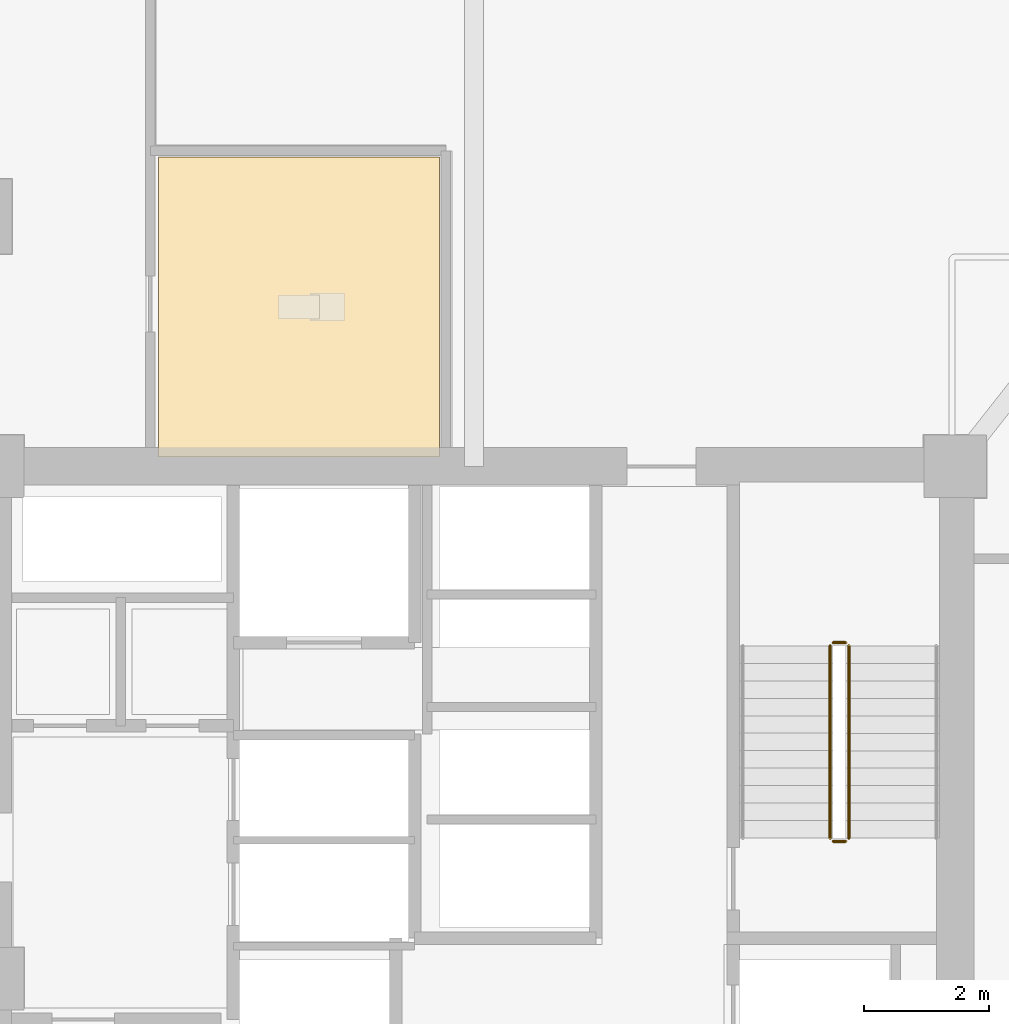
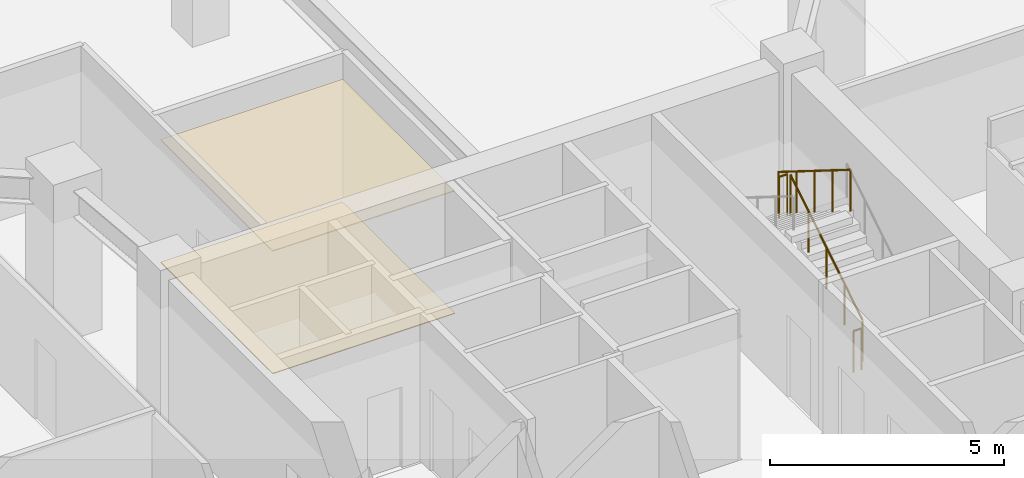
# One storey, part 18 of 22: 4 railings, 2 coverings.
"""IFC4 building model written with IfcOpenShell, lengths in metres."""

from ifc_helpers import new_model, si_unit, direction, frame, origin, origin_2d, place, context, subcontext, project, spatial, polyline, circle, outline, extrude, material, layer, layer_set, type_object, element, save


model = new_model("IFC4")

# Units and contexts
model_context = context("Model", 3, precision=1e-05, world=origin(), true_north=direction((0.0, 1.0)))
body_context = subcontext(model_context, "Body", "Model", "MODEL_VIEW")
ifc_project = project(units=[si_unit("LENGTHUNIT", "METRE"), si_unit("AREAUNIT", "SQUARE_METRE"), si_unit("VOLUMEUNIT", "CUBIC_METRE"), si_unit("PLANEANGLEUNIT", "RADIAN"), si_unit("MASSUNIT", "GRAM", prefix="KILO")], contexts=[model_context])

# Site, building, storey
site_placement = place(None, origin())
site = spatial("IfcSite", under=ifc_project, at=site_placement, CompositionType="ELEMENT")
building_placement = place(site_placement, origin())
building = spatial("IfcBuilding", under=site, at=building_placement, Name="Savorim Split Tower", CompositionType="ELEMENT")
storey_placement = place(building_placement, frame((0.0, 0.0, 17.60009765625)))
storey = spatial("IfcBuildingStorey", under=building, at=storey_placement, Name="L04", CompositionType="ELEMENT", Elevation=17.60009765625)

# Coverings
ifc_material_1 = material(Name="Mineral Fibre Acoustic Ceiling")
ifc_layer_1 = layer(ifc_material_1, 0.02490234375)
ifc_layer_set_1 = layer_set([ifc_layer_1], Name="COV-CEIL-25")
covering_type_1 = type_object("IfcCoveringType", Name="COV-CEIL-25", PredefinedType="CEILING", material=ifc_layer_set_1)
covering_1_placement = place(storey_placement, frame((0.0, 0.0, 3.199951171875)))
element("IfcCovering", 1, at=covering_1_placement, inside=storey, type_object=covering_type_1, Name="L04 Public WC Acoustic Ceiling", PredefinedType="CEILING", context=body_context, shape_type="SweptSolid", body=[
    extrude(outline(polyline([(-5.050048828125, 15.14990234375), (-5.050048828125, 10.35009765625), (-0.550048828125, 10.35009765625), (-0.550048828125, 15.14990234375), (-5.050048828125, 15.14990234375)])), origin(), (0.0, 0.0, 1.0), 0.02490234375),
])
ifc_material_2 = material(Name="Porcelain Stoneware Flooring", Category="masonry")
ifc_layer_2 = layer(ifc_material_2, 0.02001953125)
ifc_layer_set_2 = layer_set([ifc_layer_2], Name="COV-FLOR-20")
covering_type_2 = type_object("IfcCoveringType", Name="COV-FLOR-20", PredefinedType="FLOORING", material=ifc_layer_set_2)
covering_2_placement = place(storey_placement, origin())
element("IfcCovering", 2, at=covering_2_placement, inside=storey, type_object=covering_type_2, Name="L04 Public WC Porcelain Flooring", PredefinedType="FLOORING", context=body_context, shape_type="SweptSolid", body=[
    extrude(outline(polyline([(-5.050048828125, 15.14990234375), (-5.050048828125, 10.35009765625), (-0.550048828125, 10.35009765625), (-0.550048828125, 15.14990234375), (-5.050048828125, 15.14990234375)])), origin(), (0.0, 0.0, 1.0), 0.02001953125),
])

# Railings
ifc_material_3 = material(Name="Galvanised Painted Steel Balustrade", Category="steel")
railing_type = type_object("IfcRailingType", Name="RLG-STG-1100", PredefinedType="BALUSTRADE", material=ifc_material_3)
railing_1_placement = place(storey_placement, frame((6.0, 4.25, 0.1748046875)))
element("IfcRailing", 3, at=railing_1_placement, inside=storey, type_object=railing_type, Name="L04 ST-2 stair guard 1", PredefinedType="BALUSTRADE", context=body_context, shape_type="SweptSolid", body=[
    extrude(circle(Radius=0.02392578125, at=origin_2d()), frame((0.0, 0.0, 1.076171875), z_axis=(0.0, 0.847998304005, 0.529998940003), x_axis=(-1.0, 0.0, 0.0)), (0.0, 0.0, 1.0), 3.632080078125),
    extrude(circle(Radius=0.02099609375, at=origin_2d()), origin(), (0.0, 0.0, 1.0), 1.052001953125),
    extrude(circle(Radius=0.02099609375, at=origin_2d()), frame((0.0, 0.77001953125, 0.481201171875)), (0.0, 0.0, 1.0), 1.052001953125),
    extrude(circle(Radius=0.02099609375, at=origin_2d()), frame((0.0, 1.5400390625, 0.96240234375)), (0.0, 0.0, 1.0), 1.052001953125),
    extrude(circle(Radius=0.02099609375, at=origin_2d()), frame((0.0, 2.31005859375, 1.44384765625)), (0.0, 0.0, 1.0), 1.052001953125),
    extrude(circle(Radius=0.02099609375, at=origin_2d()), frame((0.0, 3.080078125, 1.925048828125)), (0.0, 0.0, 1.0), 1.052001953125),
])
railing_2_placement = place(storey_placement, frame((5.949951171875, 7.3798828125, 2.099853515625)))
element("IfcRailing", 4, at=railing_2_placement, inside=storey, type_object=railing_type, Name="L04 ST-2 stair guard 2", PredefinedType="BALUSTRADE", context=body_context, shape_type="SweptSolid", body=[
    extrude(circle(Radius=0.02392578125, at=origin_2d()), frame((0.0, 0.0, 1.076171875), z_axis=(-1.0, 0.0, 0.0), x_axis=(0.0, -1.0, 0.0)), (0.0, 0.0, 1.0), 0.199951171875),
    extrude(circle(Radius=0.02099609375, at=origin_2d()), origin(), (0.0, 0.0, 1.0), 1.052001953125),
    extrude(circle(Radius=0.02099609375, at=origin_2d()), frame((-0.199951171875, 0.0, 0.0)), (0.0, 0.0, 1.0), 1.052001953125),
])
railing_3_placement = place(storey_placement, frame((5.699951171875, 7.330078125, 2.27490234375)))
element("IfcRailing", 5, at=railing_3_placement, inside=storey, type_object=railing_type, Name="L04 ST-2 stair guard 3", PredefinedType="BALUSTRADE", context=body_context, shape_type="SweptSolid", body=[
    extrude(circle(Radius=0.02392578125, at=origin_2d()), frame((0.0, 0.0, 1.076171875), z_axis=(0.0, -0.847998304005, 0.529998940003), x_axis=(1.0, 0.0, 0.0)), (0.0, 0.0, 1.0), 3.632080078125),
    extrude(circle(Radius=0.02099609375, at=origin_2d()), origin(), (0.0, 0.0, 1.0), 1.052001953125),
    extrude(circle(Radius=0.02099609375, at=origin_2d()), frame((0.0, -0.77001953125, 0.481201171875)), (0.0, 0.0, 1.0), 1.052001953125),
    extrude(circle(Radius=0.02099609375, at=origin_2d()), frame((0.0, -1.5400390625, 0.96240234375)), (0.0, 0.0, 1.0), 1.052001953125),
    extrude(circle(Radius=0.02099609375, at=origin_2d()), frame((0.0, -2.31005859375, 1.44384765625)), (0.0, 0.0, 1.0), 1.052001953125),
    extrude(circle(Radius=0.02099609375, at=origin_2d()), frame((0.0, -3.080078125, 1.925048828125)), (0.0, 0.0, 1.0), 1.052001953125),
])
railing_4_placement = place(storey_placement, frame((5.949951171875, 4.199951171875, 0.0)))
element("IfcRailing", 6, at=railing_4_placement, inside=storey, type_object=railing_type, Name="L04 ST-2 stair guard 4", PredefinedType="BALUSTRADE", context=body_context, shape_type="SweptSolid", body=[
    extrude(circle(Radius=0.02392578125, at=origin_2d()), frame((0.0, 0.0, 1.076171875), z_axis=(-1.0, 0.0, 0.0), x_axis=(0.0, -1.0, 0.0)), (0.0, 0.0, 1.0), 0.199951171875),
    extrude(circle(Radius=0.02099609375, at=origin_2d()), origin(), (0.0, 0.0, 1.0), 1.052001953125),
    extrude(circle(Radius=0.02099609375, at=origin_2d()), frame((-0.199951171875, 0.0, 0.0)), (0.0, 0.0, 1.0), 1.052001953125),
])

save(model, "model.ifc")
